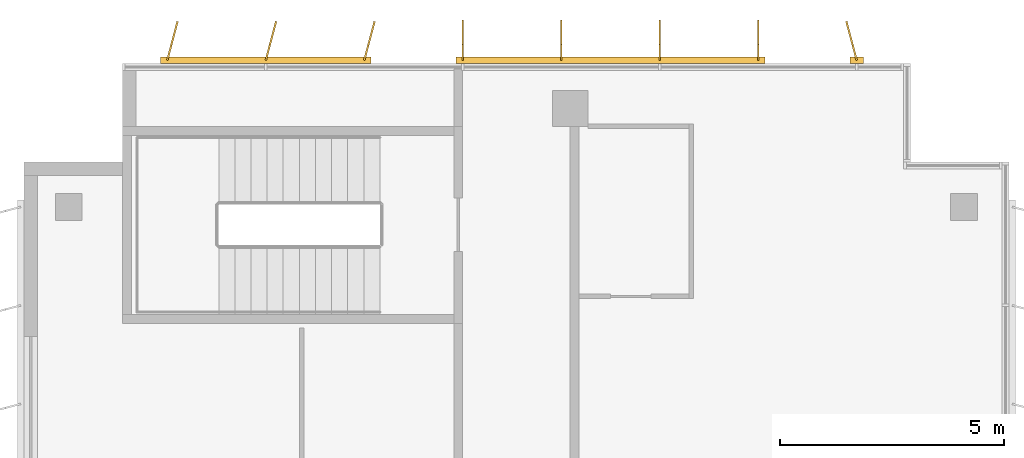
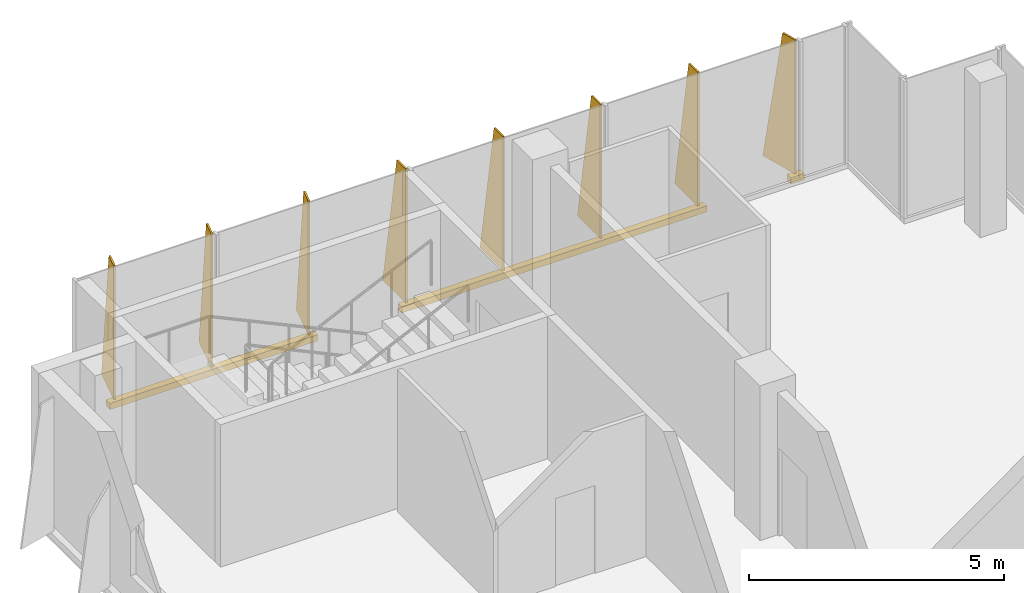
# One storey, part 15 of 15: 3 shading devices.
"""IFC4 building model written with IfcOpenShell, lengths in metres."""

from ifc_helpers import new_model, si_unit, direction, frame, origin, origin_2d, place, context, subcontext, project, spatial, polyline, rectangle, outline, extrude, source, transform, mapped, material, layer, layer_set, type_object, element, save


model = new_model("IFC4")

# Units and contexts
model_context = context("Model", 3, precision=1e-05, world=origin(), true_north=direction((0.0, 1.0)))
body_context = subcontext(model_context, "Body", "Model", "MODEL_VIEW")
ifc_project = project(units=[si_unit("LENGTHUNIT", "METRE"), si_unit("AREAUNIT", "SQUARE_METRE"), si_unit("VOLUMEUNIT", "CUBIC_METRE"), si_unit("PLANEANGLEUNIT", "RADIAN"), si_unit("MASSUNIT", "GRAM", prefix="KILO")], contexts=[model_context])

# Site, building, storey
site_placement = place(None, origin())
site = spatial("IfcSite", under=ifc_project, at=site_placement, CompositionType="ELEMENT")
building_placement = place(site_placement, origin())
building = spatial("IfcBuilding", under=site, at=building_placement, Name="Kemantara Hotel Tower", CompositionType="ELEMENT")
storey_placement = place(building_placement, frame((0.0, 0.0, 261.10009765625)))
storey = spatial("IfcBuildingStorey", under=building, at=storey_placement, Name="L65", CompositionType="ELEMENT", Elevation=261.10009765625)

# Shading devices
ifc_material = material(Name="Perforated aluminium plate 4 mm bronze anodised", Category="aluminium")
ifc_layer_1 = layer(ifc_material, 0.0400390625)
ifc_layer_set_1 = layer_set([ifc_layer_1], Name="Perforated aluminium plate 4 mm bronze anodised")
shading_device_type_1 = type_object("IfcShadingDeviceType", Name="SCREEN FIN CASSETTE, 3 BLADES AT -15.0 DEG, 3200 HIGH", PredefinedType="USERDEFINED", material=ifc_layer_set_1)
shared_shape_1 = source(origin(), body_context, "Body", "SweptSolid", [
    extrude(rectangle(XDim=4.699951171875, YDim=0.14990234375, at=origin_2d()), frame((2.199951171875, -0.074951171875, -0.14990234375), z_axis=(0.0, 0.0, 1.0), x_axis=(1.0, 0.0, 0.0)), (0.0, 0.0, 1.0), 0.14990234375),
    extrude(outline(polyline([(0.0, 0.0), (0.89990234375, 0.0), (0.35009765625, 3.199951171875), (0.0, 3.199951171875), (0.0, 0.0)])), frame((0.019287109375, -0.080078125, 0.0), z_axis=(-0.966437683387, 0.256901156343, 0.0), x_axis=(-0.256901156343, -0.966437683387, 0.0)), (0.0, 0.0, 1.0), 0.039794921875),
    extrude(outline(polyline([(0.0, 0.0), (0.89990234375, 0.0), (0.35009765625, 3.199951171875), (0.0, 3.199951171875), (0.0, 0.0)])), frame((2.21923828125, -0.080078125, 0.0), z_axis=(-0.966437683387, 0.256901156343, 0.0), x_axis=(-0.256901156343, -0.966437683387, 0.0)), (0.0, 0.0, 1.0), 0.039794921875),
    extrude(outline(polyline([(0.0, 0.0), (0.89990234375, 0.0), (0.35009765625, 3.199951171875), (0.0, 3.199951171875), (0.0, 0.0)])), frame((4.41943359375, -0.080078125, 0.0), z_axis=(-0.966837822169, 0.255391122837, 0.0), x_axis=(-0.255391122837, -0.966837822169, 0.0)), (0.0, 0.0, 1.0), 0.0400390625),
])
shading_device_1_placement = place(storey_placement, frame((7.60009765625, 63.60009765625, 0.099853515625), z_axis=(0.0, 0.0, 1.0), x_axis=(-1.0, 0.0, 0.0)))
element("IfcShadingDevice", 1, at=shading_device_1_placement, inside=storey, type_object=shading_device_type_1, Name="SCREEN FIN CASSETTE L65 T4-R02-3", ObjectType="SCREEN FIN", PredefinedType="USERDEFINED", context=body_context, shape_type="MappedRepresentation", body=[
    mapped(shared_shape_1, transform((0.0, 0.0, 0.0))),
])
ifc_layer_2 = layer(ifc_material, 0.0400390625)
ifc_layer_set_2 = layer_set([ifc_layer_2], Name="Perforated aluminium plate 4 mm bronze anodised")
shading_device_type_2 = type_object("IfcShadingDeviceType", Name="SCREEN FIN CASSETTE, 4 BLADES AT +0.0 DEG, 3200 HIGH", PredefinedType="USERDEFINED", material=ifc_layer_set_2)
shared_shape_2 = source(origin(), body_context, "Body", "SweptSolid", [
    extrude(rectangle(XDim=6.89990234375, YDim=0.14990234375, at=origin_2d()), frame((3.300048828125, -0.074951171875, -0.14990234375), z_axis=(0.0, 0.0, 1.0), x_axis=(1.0, 0.0, 0.0)), (0.0, 0.0, 1.0), 0.14990234375),
    extrude(outline(polyline([(0.0, 0.0), (0.89990234375, 0.0), (0.35009765625, 3.199951171875), (0.0, 3.199951171875), (0.0, 0.0)])), frame((0.02001953125, -0.074951171875, 0.0), z_axis=(-1.0, 0.0, 0.0), x_axis=(0.0, -1.0, 0.0)), (0.0, 0.0, 1.0), 0.0400390625),
    extrude(outline(polyline([(0.0, 0.0), (0.89990234375, 0.0), (0.35009765625, 3.199951171875), (0.0, 3.199951171875), (0.0, 0.0)])), frame((2.219970703125, -0.074951171875, 0.0), z_axis=(-1.0, 0.0, 0.0), x_axis=(0.0, -1.0, 0.0)), (0.0, 0.0, 1.0), 0.0400390625),
    extrude(outline(polyline([(0.0, 0.0), (0.89990234375, 0.0), (0.35009765625, 3.199951171875), (0.0, 3.199951171875), (0.0, 0.0)])), frame((4.419921875, -0.074951171875, 0.0), z_axis=(-1.0, 0.0, 0.0), x_axis=(0.0, -1.0, 0.0)), (0.0, 0.0, 1.0), 0.0400390625),
    extrude(outline(polyline([(0.0, 0.0), (0.89990234375, 0.0), (0.35009765625, 3.199951171875), (0.0, 3.199951171875), (0.0, 0.0)])), frame((6.6201171875, -0.074951171875, 0.0), z_axis=(-1.0, 0.0, 0.0), x_axis=(0.0, -1.0, 0.0)), (0.0, 0.0, 1.0), 0.0400390625),
])
shading_device_2_placement = place(storey_placement, frame((16.39990234375, 63.60009765625, 0.099853515625), z_axis=(0.0, 0.0, 1.0), x_axis=(-1.0, 0.0, 0.0)))
element("IfcShadingDevice", 2, at=shading_device_2_placement, inside=storey, type_object=shading_device_type_2, Name="SCREEN FIN CASSETTE L65 T4-R02-2", ObjectType="SCREEN FIN", PredefinedType="USERDEFINED", context=body_context, shape_type="MappedRepresentation", body=[
    mapped(shared_shape_2, transform((0.0, 0.0, 0.0))),
])
ifc_layer_3 = layer(ifc_material, 0.0400390625)
ifc_layer_set_3 = layer_set([ifc_layer_3], Name="Perforated aluminium plate 4 mm bronze anodised")
shading_device_type_3 = type_object("IfcShadingDeviceType", Name="SCREEN FIN CASSETTE, 1 BLADE AT +15.0 DEG, 3200 HIGH", PredefinedType="USERDEFINED", material=ifc_layer_set_3)
shared_shape_3 = source(origin(), body_context, "Body", "SweptSolid", [
    extrude(rectangle(XDim=0.300048828125, YDim=0.14990234375, at=origin_2d()), frame((0.0, -0.074951171875, -0.14990234375), z_axis=(0.0, 0.0, 1.0), x_axis=(1.0, 0.0, 0.0)), (0.0, 0.0, 1.0), 0.14990234375),
    extrude(outline(polyline([(0.0, 0.0), (0.89990234375, 0.0), (0.35009765625, 3.199951171875), (0.0, 3.199951171875), (0.0, 0.0)])), frame((0.019287109375, -0.06982421875, 0.0), z_axis=(-0.966437683387, -0.256901156343, 0.0), x_axis=(0.256901156343, -0.966437683387, 0.0)), (0.0, 0.0, 1.0), 0.039794921875),
])
shading_device_3_placement = place(storey_placement, frame((18.60009765625, 63.60009765625, 0.099853515625), z_axis=(0.0, 0.0, 1.0), x_axis=(-1.0, 0.0, 0.0)))
element("IfcShadingDevice", 3, at=shading_device_3_placement, inside=storey, type_object=shading_device_type_3, Name="SCREEN FIN CASSETTE L65 T4-R02-1", ObjectType="SCREEN FIN", PredefinedType="USERDEFINED", context=body_context, shape_type="MappedRepresentation", body=[
    mapped(shared_shape_3, transform((0.0, 0.0, 0.0))),
])

save(model, "model.ifc")
